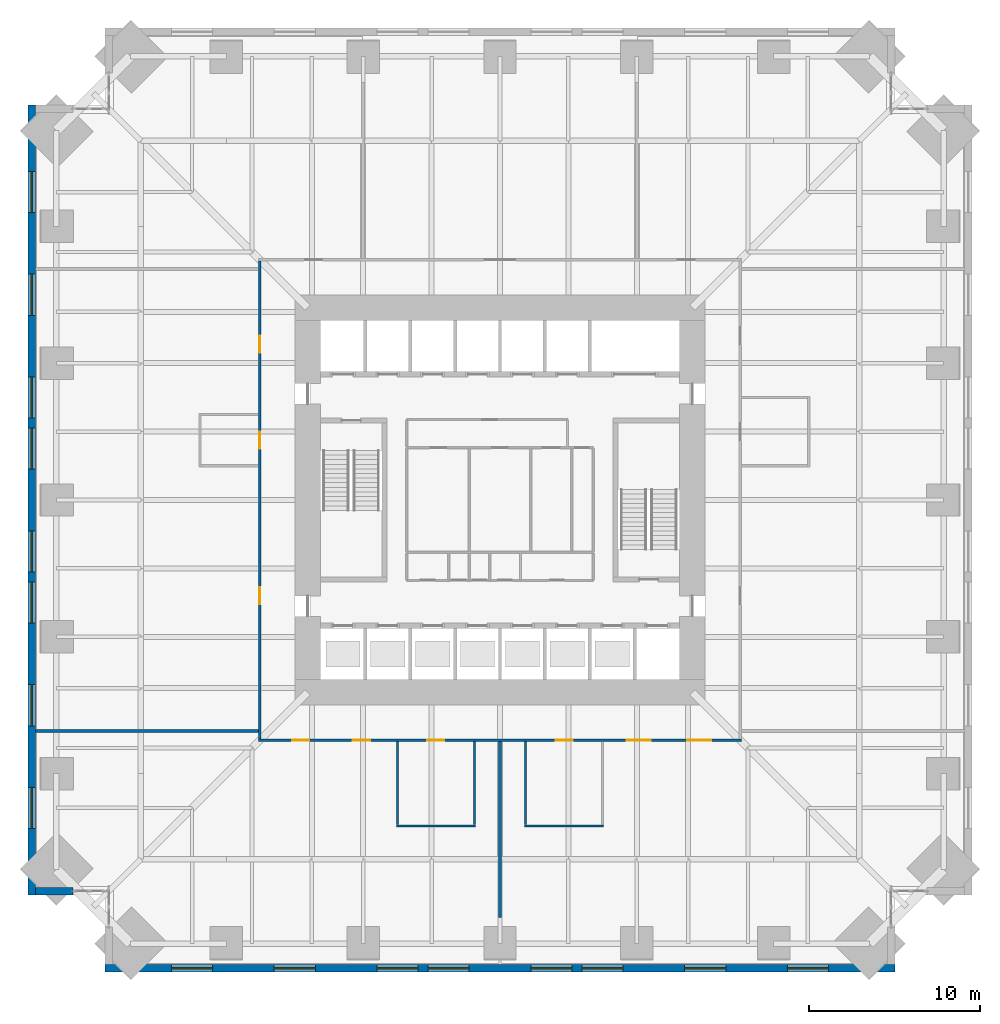
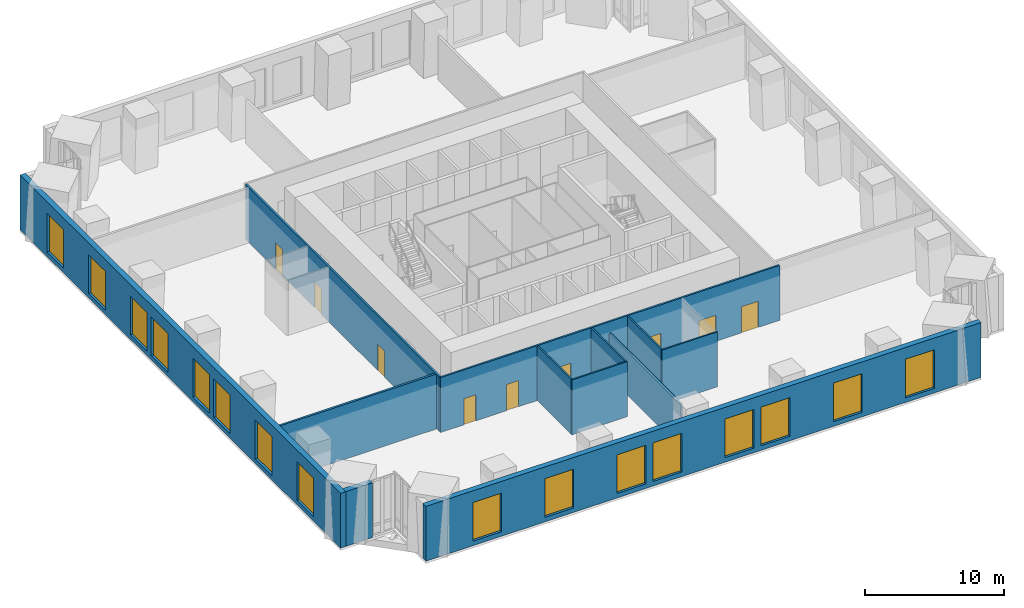
# One storey, part 12 of 18: 16 windows, 12 walls, 9 doors, 25 openings.
"""IFC4 building model written with IfcOpenShell, lengths in metres."""

from ifc_helpers import new_model, si_unit, direction, frame, frame_2d, origin, place, context, subcontext, project, spatial, rectangle, extrude, material, layer, layer_set, type_object, element, fill, save


model = new_model("IFC4")

# Units and contexts
model_context = context("Model", 3, precision=1e-05, world=origin(), true_north=direction((0.0, 1.0)))
body_context = subcontext(model_context, "Body", "Model", "MODEL_VIEW")
ifc_project = project(units=[si_unit("LENGTHUNIT", "METRE"), si_unit("AREAUNIT", "SQUARE_METRE"), si_unit("VOLUMEUNIT", "CUBIC_METRE"), si_unit("PLANEANGLEUNIT", "RADIAN"), si_unit("MASSUNIT", "GRAM", prefix="KILO")], contexts=[model_context])

# Site, building, storey
site_placement = place(None, origin())
site = spatial("IfcSite", under=ifc_project, at=site_placement, CompositionType="ELEMENT")
building_placement = place(site_placement, origin())
building = spatial("IfcBuilding", under=site, at=building_placement, Name="Peilmerk Tower", CompositionType="ELEMENT")
storey_placement = place(building_placement, frame((0.0, 0.0, 122.800048828125)))
storey = spatial("IfcBuildingStorey", under=building, at=storey_placement, Name="L24", CompositionType="ELEMENT", Elevation=122.800048828125)

# Wall, openings, windows
ifc_material_1 = material(Name="Precast concrete C45/55, board-marked finish", Category="concrete")
ifc_layer_1 = layer(ifc_material_1, 0.449951171875)
ifc_layer_set_1 = layer_set([ifc_layer_1], Name="Precast concrete C45/55, board-marked finish")
wall_type_1 = type_object("IfcWallType", Name="EW1 450 precast concrete facade wall, board-marked", PredefinedType="SOLIDWALL", material=ifc_layer_set_1)
wall_1_placement = place(storey_placement, frame((-23.10009765625, -27.375, 0.0), z_axis=(0.0, 0.0, 1.0), x_axis=(1.0, 0.0, 0.0)))
wall_1 = element("IfcWall", 1, at=wall_1_placement, inside=storey, type_object=wall_type_1, Name="Facade wall S L24", PredefinedType="SOLIDWALL", context=body_context, shape_type="SweptSolid", body=[
    extrude(rectangle(XDim=46.2001953125, YDim=0.449951171875, at=frame_2d((23.10009765625, 0.0))), origin(), (0.0, 0.0, 1.0), 4.829833984375),
])
opening_1_placement = place(wall_1_placement, frame((3.89990234375, 0.0, 0.39990234375)))
opening_1 = element("IfcOpeningElement", 2, at=opening_1_placement, cuts=wall_1, Name="Opening W6", PredefinedType="OPENING", context=body_context, shape_type="SweptSolid", body=[
    extrude(rectangle(XDim=2.39990234375, YDim=3.39990234375, at=frame_2d((1.199951171875, 1.699951171875))), frame((0.0, 0.23486328125, 0.0), z_axis=(0.0, -1.0, 0.0), x_axis=(1.0, 0.0, 0.0)), (0.0, 0.0, 1.0), 0.469970703125),
])
opening_2_placement = place(wall_1_placement, frame((9.89990234375, 0.0, 0.39990234375)))
opening_2 = element("IfcOpeningElement", 3, at=opening_2_placement, cuts=wall_1, Name="Opening W6", PredefinedType="OPENING", context=body_context, shape_type="SweptSolid", body=[
    extrude(rectangle(XDim=2.39990234375, YDim=3.39990234375, at=frame_2d((1.199951171875, 1.699951171875))), frame((0.0, 0.23486328125, 0.0), z_axis=(0.0, -1.0, 0.0), x_axis=(1.0, 0.0, 0.0)), (0.0, 0.0, 1.0), 0.469970703125),
])
opening_3_placement = place(wall_1_placement, frame((15.89990234375, 0.0, 0.39990234375)))
opening_3 = element("IfcOpeningElement", 4, at=opening_3_placement, cuts=wall_1, Name="Opening W6", PredefinedType="OPENING", context=body_context, shape_type="SweptSolid", body=[
    extrude(rectangle(XDim=2.39990234375, YDim=3.39990234375, at=frame_2d((1.199951171875, 1.699951171875))), frame((0.0, 0.23486328125, 0.0), z_axis=(0.0, -1.0, 0.0), x_axis=(1.0, 0.0, 0.0)), (0.0, 0.0, 1.0), 0.469970703125),
])
opening_4_placement = place(wall_1_placement, frame((18.89990234375, 0.0, 0.39990234375)))
opening_4 = element("IfcOpeningElement", 5, at=opening_4_placement, cuts=wall_1, Name="Opening W6", PredefinedType="OPENING", context=body_context, shape_type="SweptSolid", body=[
    extrude(rectangle(XDim=2.39990234375, YDim=3.39990234375, at=frame_2d((1.199951171875, 1.699951171875))), frame((0.0, 0.23486328125, 0.0), z_axis=(0.0, -1.0, 0.0), x_axis=(1.0, 0.0, 0.0)), (0.0, 0.0, 1.0), 0.469970703125),
])
opening_5_placement = place(wall_1_placement, frame((24.89990234375, 0.0, 0.39990234375)))
opening_5 = element("IfcOpeningElement", 6, at=opening_5_placement, cuts=wall_1, Name="Opening W6", PredefinedType="OPENING", context=body_context, shape_type="SweptSolid", body=[
    extrude(rectangle(XDim=2.39990234375, YDim=3.39990234375, at=frame_2d((1.199951171875, 1.699951171875))), frame((0.0, 0.23486328125, 0.0), z_axis=(0.0, -1.0, 0.0), x_axis=(1.0, 0.0, 0.0)), (0.0, 0.0, 1.0), 0.469970703125),
])
opening_6_placement = place(wall_1_placement, frame((27.89990234375, 0.0, 0.39990234375)))
opening_6 = element("IfcOpeningElement", 7, at=opening_6_placement, cuts=wall_1, Name="Opening W6", PredefinedType="OPENING", context=body_context, shape_type="SweptSolid", body=[
    extrude(rectangle(XDim=2.39990234375, YDim=3.39990234375, at=frame_2d((1.199951171875, 1.699951171875))), frame((0.0, 0.23486328125, 0.0), z_axis=(0.0, -1.0, 0.0), x_axis=(1.0, 0.0, 0.0)), (0.0, 0.0, 1.0), 0.469970703125),
])
opening_7_placement = place(wall_1_placement, frame((33.89990234375, 0.0, 0.39990234375)))
opening_7 = element("IfcOpeningElement", 8, at=opening_7_placement, cuts=wall_1, Name="Opening W6", PredefinedType="OPENING", context=body_context, shape_type="SweptSolid", body=[
    extrude(rectangle(XDim=2.39990234375, YDim=3.39990234375, at=frame_2d((1.199951171875, 1.699951171875))), frame((0.0, 0.23486328125, 0.0), z_axis=(0.0, -1.0, 0.0), x_axis=(1.0, 0.0, 0.0)), (0.0, 0.0, 1.0), 0.469970703125),
])
opening_8_placement = place(wall_1_placement, frame((39.89990234375, 0.0, 0.39990234375)))
opening_8 = element("IfcOpeningElement", 9, at=opening_8_placement, cuts=wall_1, Name="Opening W6", PredefinedType="OPENING", context=body_context, shape_type="SweptSolid", body=[
    extrude(rectangle(XDim=2.39990234375, YDim=3.39990234375, at=frame_2d((1.199951171875, 1.699951171875))), frame((0.0, 0.23486328125, 0.0), z_axis=(0.0, -1.0, 0.0), x_axis=(1.0, 0.0, 0.0)), (0.0, 0.0, 1.0), 0.469970703125),
])
ifc_material_2 = material(Name="Aluminium frame, clear double glazing", Category="aluminium")
window_type = type_object("IfcWindowType", Name="W6 2400x3400 sky lobby window", PartitioningType="SINGLE_PANEL", PredefinedType="WINDOW", material=ifc_material_2)
window_1_placement = place(opening_1_placement, origin())
window_1 = element("IfcWindow", 10, at=window_1_placement, inside=storey, type_object=window_type, Name="Window W6 L24", OverallHeight=3.39990234375, OverallWidth=2.39990234375, PartitioningType="SINGLE_PANEL", PredefinedType="WINDOW", context=body_context, shape_type="SweptSolid", body=[
    extrude(rectangle(XDim=2.39990234375, YDim=3.39990234375, at=frame_2d((1.199951171875, 1.699951171875))), frame((0.0, 0.030029296875, 0.0), z_axis=(0.0, -1.0, 0.0), x_axis=(1.0, 0.0, 0.0)), (0.0, 0.0, 1.0), 0.06005859375),
])
fill(opening_1, window_1)
window_2_placement = place(opening_2_placement, origin())
window_2 = element("IfcWindow", 11, at=window_2_placement, inside=storey, type_object=window_type, Name="Window W6 L24", OverallHeight=3.39990234375, OverallWidth=2.39990234375, PartitioningType="SINGLE_PANEL", PredefinedType="WINDOW", context=body_context, shape_type="SweptSolid", body=[
    extrude(rectangle(XDim=2.39990234375, YDim=3.39990234375, at=frame_2d((1.199951171875, 1.699951171875))), frame((0.0, 0.030029296875, 0.0), z_axis=(0.0, -1.0, 0.0), x_axis=(1.0, 0.0, 0.0)), (0.0, 0.0, 1.0), 0.06005859375),
])
fill(opening_2, window_2)
window_3_placement = place(opening_3_placement, origin())
window_3 = element("IfcWindow", 12, at=window_3_placement, inside=storey, type_object=window_type, Name="Window W6 L24", OverallHeight=3.39990234375, OverallWidth=2.39990234375, PartitioningType="SINGLE_PANEL", PredefinedType="WINDOW", context=body_context, shape_type="SweptSolid", body=[
    extrude(rectangle(XDim=2.39990234375, YDim=3.39990234375, at=frame_2d((1.199951171875, 1.699951171875))), frame((0.0, 0.030029296875, 0.0), z_axis=(0.0, -1.0, 0.0), x_axis=(1.0, 0.0, 0.0)), (0.0, 0.0, 1.0), 0.06005859375),
])
fill(opening_3, window_3)
window_4_placement = place(opening_4_placement, origin())
window_4 = element("IfcWindow", 13, at=window_4_placement, inside=storey, type_object=window_type, Name="Window W6 L24", OverallHeight=3.39990234375, OverallWidth=2.39990234375, PartitioningType="SINGLE_PANEL", PredefinedType="WINDOW", context=body_context, shape_type="SweptSolid", body=[
    extrude(rectangle(XDim=2.39990234375, YDim=3.39990234375, at=frame_2d((1.199951171875, 1.699951171875))), frame((0.0, 0.030029296875, 0.0), z_axis=(0.0, -1.0, 0.0), x_axis=(1.0, 0.0, 0.0)), (0.0, 0.0, 1.0), 0.06005859375),
])
fill(opening_4, window_4)
window_5_placement = place(opening_5_placement, origin())
window_5 = element("IfcWindow", 14, at=window_5_placement, inside=storey, type_object=window_type, Name="Window W6 L24", OverallHeight=3.39990234375, OverallWidth=2.39990234375, PartitioningType="SINGLE_PANEL", PredefinedType="WINDOW", context=body_context, shape_type="SweptSolid", body=[
    extrude(rectangle(XDim=2.39990234375, YDim=3.39990234375, at=frame_2d((1.199951171875, 1.699951171875))), frame((0.0, 0.030029296875, 0.0), z_axis=(0.0, -1.0, 0.0), x_axis=(1.0, 0.0, 0.0)), (0.0, 0.0, 1.0), 0.06005859375),
])
fill(opening_5, window_5)
window_6_placement = place(opening_6_placement, origin())
window_6 = element("IfcWindow", 15, at=window_6_placement, inside=storey, type_object=window_type, Name="Window W6 L24", OverallHeight=3.39990234375, OverallWidth=2.39990234375, PartitioningType="SINGLE_PANEL", PredefinedType="WINDOW", context=body_context, shape_type="SweptSolid", body=[
    extrude(rectangle(XDim=2.39990234375, YDim=3.39990234375, at=frame_2d((1.199951171875, 1.699951171875))), frame((0.0, 0.030029296875, 0.0), z_axis=(0.0, -1.0, 0.0), x_axis=(1.0, 0.0, 0.0)), (0.0, 0.0, 1.0), 0.06005859375),
])
fill(opening_6, window_6)
window_7_placement = place(opening_7_placement, origin())
window_7 = element("IfcWindow", 16, at=window_7_placement, inside=storey, type_object=window_type, Name="Window W6 L24", OverallHeight=3.39990234375, OverallWidth=2.39990234375, PartitioningType="SINGLE_PANEL", PredefinedType="WINDOW", context=body_context, shape_type="SweptSolid", body=[
    extrude(rectangle(XDim=2.39990234375, YDim=3.39990234375, at=frame_2d((1.199951171875, 1.699951171875))), frame((0.0, 0.030029296875, 0.0), z_axis=(0.0, -1.0, 0.0), x_axis=(1.0, 0.0, 0.0)), (0.0, 0.0, 1.0), 0.06005859375),
])
fill(opening_7, window_7)
window_8_placement = place(opening_8_placement, origin())
window_8 = element("IfcWindow", 17, at=window_8_placement, inside=storey, type_object=window_type, Name="Window W6 L24", OverallHeight=3.39990234375, OverallWidth=2.39990234375, PartitioningType="SINGLE_PANEL", PredefinedType="WINDOW", context=body_context, shape_type="SweptSolid", body=[
    extrude(rectangle(XDim=2.39990234375, YDim=3.39990234375, at=frame_2d((1.199951171875, 1.699951171875))), frame((0.0, 0.030029296875, 0.0), z_axis=(0.0, -1.0, 0.0), x_axis=(1.0, 0.0, 0.0)), (0.0, 0.0, 1.0), 0.06005859375),
])
fill(opening_8, window_8)

wall_2_placement = place(storey_placement, frame((-27.375, 23.10009765625, 0.0), z_axis=(0.0, 0.0, 1.0), x_axis=(0.0, -1.0, 0.0)))
wall_2 = element("IfcWall", 18, at=wall_2_placement, inside=storey, type_object=wall_type_1, Name="Facade wall W L24", PredefinedType="SOLIDWALL", context=body_context, shape_type="SweptSolid", body=[
    extrude(rectangle(XDim=46.2001953125, YDim=0.449951171875, at=frame_2d((23.10009765625, 0.0))), origin(), (0.0, 0.0, 1.0), 4.829833984375),
])
opening_9_placement = place(wall_2_placement, frame((3.89990234375, 0.0, 0.39990234375)))
opening_9 = element("IfcOpeningElement", 19, at=opening_9_placement, cuts=wall_2, Name="Opening W6", PredefinedType="OPENING", context=body_context, shape_type="SweptSolid", body=[
    extrude(rectangle(XDim=2.39990234375, YDim=3.39990234375, at=frame_2d((1.199951171875, 1.699951171875))), frame((0.0, 0.23486328125, 0.0), z_axis=(0.0, -1.0, 0.0), x_axis=(1.0, 0.0, 0.0)), (0.0, 0.0, 1.0), 0.469970703125),
])
opening_10_placement = place(wall_2_placement, frame((9.89990234375, 0.0, 0.39990234375)))
opening_10 = element("IfcOpeningElement", 20, at=opening_10_placement, cuts=wall_2, Name="Opening W6", PredefinedType="OPENING", context=body_context, shape_type="SweptSolid", body=[
    extrude(rectangle(XDim=2.39990234375, YDim=3.39990234375, at=frame_2d((1.199951171875, 1.699951171875))), frame((0.0, 0.23486328125, 0.0), z_axis=(0.0, -1.0, 0.0), x_axis=(1.0, 0.0, 0.0)), (0.0, 0.0, 1.0), 0.469970703125),
])
opening_11_placement = place(wall_2_placement, frame((15.89990234375, 0.0, 0.39990234375)))
opening_11 = element("IfcOpeningElement", 21, at=opening_11_placement, cuts=wall_2, Name="Opening W6", PredefinedType="OPENING", context=body_context, shape_type="SweptSolid", body=[
    extrude(rectangle(XDim=2.39990234375, YDim=3.39990234375, at=frame_2d((1.199951171875, 1.699951171875))), frame((0.0, 0.23486328125, 0.0), z_axis=(0.0, -1.0, 0.0), x_axis=(1.0, 0.0, 0.0)), (0.0, 0.0, 1.0), 0.469970703125),
])
opening_12_placement = place(wall_2_placement, frame((18.89990234375, 0.0, 0.39990234375)))
opening_12 = element("IfcOpeningElement", 22, at=opening_12_placement, cuts=wall_2, Name="Opening W6", PredefinedType="OPENING", context=body_context, shape_type="SweptSolid", body=[
    extrude(rectangle(XDim=2.39990234375, YDim=3.39990234375, at=frame_2d((1.199951171875, 1.699951171875))), frame((0.0, 0.23486328125, 0.0), z_axis=(0.0, -1.0, 0.0), x_axis=(1.0, 0.0, 0.0)), (0.0, 0.0, 1.0), 0.469970703125),
])
opening_13_placement = place(wall_2_placement, frame((24.89990234375, 0.0, 0.39990234375)))
opening_13 = element("IfcOpeningElement", 23, at=opening_13_placement, cuts=wall_2, Name="Opening W6", PredefinedType="OPENING", context=body_context, shape_type="SweptSolid", body=[
    extrude(rectangle(XDim=2.39990234375, YDim=3.39990234375, at=frame_2d((1.199951171875, 1.699951171875))), frame((0.0, 0.23486328125, 0.0), z_axis=(0.0, -1.0, 0.0), x_axis=(1.0, 0.0, 0.0)), (0.0, 0.0, 1.0), 0.469970703125),
])
opening_14_placement = place(wall_2_placement, frame((27.89990234375, 0.0, 0.39990234375)))
opening_14 = element("IfcOpeningElement", 24, at=opening_14_placement, cuts=wall_2, Name="Opening W6", PredefinedType="OPENING", context=body_context, shape_type="SweptSolid", body=[
    extrude(rectangle(XDim=2.39990234375, YDim=3.39990234375, at=frame_2d((1.199951171875, 1.699951171875))), frame((0.0, 0.23486328125, 0.0), z_axis=(0.0, -1.0, 0.0), x_axis=(1.0, 0.0, 0.0)), (0.0, 0.0, 1.0), 0.469970703125),
])
opening_15_placement = place(wall_2_placement, frame((33.89990234375, 0.0, 0.39990234375)))
opening_15 = element("IfcOpeningElement", 25, at=opening_15_placement, cuts=wall_2, Name="Opening W6", PredefinedType="OPENING", context=body_context, shape_type="SweptSolid", body=[
    extrude(rectangle(XDim=2.39990234375, YDim=3.39990234375, at=frame_2d((1.199951171875, 1.699951171875))), frame((0.0, 0.23486328125, 0.0), z_axis=(0.0, -1.0, 0.0), x_axis=(1.0, 0.0, 0.0)), (0.0, 0.0, 1.0), 0.469970703125),
])
opening_16_placement = place(wall_2_placement, frame((39.89990234375, 0.0, 0.39990234375)))
opening_16 = element("IfcOpeningElement", 26, at=opening_16_placement, cuts=wall_2, Name="Opening W6", PredefinedType="OPENING", context=body_context, shape_type="SweptSolid", body=[
    extrude(rectangle(XDim=2.39990234375, YDim=3.39990234375, at=frame_2d((1.199951171875, 1.699951171875))), frame((0.0, 0.23486328125, 0.0), z_axis=(0.0, -1.0, 0.0), x_axis=(1.0, 0.0, 0.0)), (0.0, 0.0, 1.0), 0.469970703125),
])
window_9_placement = place(opening_9_placement, origin())
window_9 = element("IfcWindow", 27, at=window_9_placement, inside=storey, type_object=window_type, Name="Window W6 L24", OverallHeight=3.39990234375, OverallWidth=2.39990234375, PartitioningType="SINGLE_PANEL", PredefinedType="WINDOW", context=body_context, shape_type="SweptSolid", body=[
    extrude(rectangle(XDim=2.39990234375, YDim=3.39990234375, at=frame_2d((1.199951171875, 1.699951171875))), frame((0.0, 0.030029296875, 0.0), z_axis=(0.0, -1.0, 0.0), x_axis=(1.0, 0.0, 0.0)), (0.0, 0.0, 1.0), 0.06005859375),
])
fill(opening_9, window_9)
window_10_placement = place(opening_10_placement, origin())
window_10 = element("IfcWindow", 28, at=window_10_placement, inside=storey, type_object=window_type, Name="Window W6 L24", OverallHeight=3.39990234375, OverallWidth=2.39990234375, PartitioningType="SINGLE_PANEL", PredefinedType="WINDOW", context=body_context, shape_type="SweptSolid", body=[
    extrude(rectangle(XDim=2.39990234375, YDim=3.39990234375, at=frame_2d((1.199951171875, 1.699951171875))), frame((0.0, 0.030029296875, 0.0), z_axis=(0.0, -1.0, 0.0), x_axis=(1.0, 0.0, 0.0)), (0.0, 0.0, 1.0), 0.06005859375),
])
fill(opening_10, window_10)
window_11_placement = place(opening_11_placement, origin())
window_11 = element("IfcWindow", 29, at=window_11_placement, inside=storey, type_object=window_type, Name="Window W6 L24", OverallHeight=3.39990234375, OverallWidth=2.39990234375, PartitioningType="SINGLE_PANEL", PredefinedType="WINDOW", context=body_context, shape_type="SweptSolid", body=[
    extrude(rectangle(XDim=2.39990234375, YDim=3.39990234375, at=frame_2d((1.199951171875, 1.699951171875))), frame((0.0, 0.030029296875, 0.0), z_axis=(0.0, -1.0, 0.0), x_axis=(1.0, 0.0, 0.0)), (0.0, 0.0, 1.0), 0.06005859375),
])
fill(opening_11, window_11)
window_12_placement = place(opening_12_placement, origin())
window_12 = element("IfcWindow", 30, at=window_12_placement, inside=storey, type_object=window_type, Name="Window W6 L24", OverallHeight=3.39990234375, OverallWidth=2.39990234375, PartitioningType="SINGLE_PANEL", PredefinedType="WINDOW", context=body_context, shape_type="SweptSolid", body=[
    extrude(rectangle(XDim=2.39990234375, YDim=3.39990234375, at=frame_2d((1.199951171875, 1.699951171875))), frame((0.0, 0.030029296875, 0.0), z_axis=(0.0, -1.0, 0.0), x_axis=(1.0, 0.0, 0.0)), (0.0, 0.0, 1.0), 0.06005859375),
])
fill(opening_12, window_12)
window_13_placement = place(opening_13_placement, origin())
window_13 = element("IfcWindow", 31, at=window_13_placement, inside=storey, type_object=window_type, Name="Window W6 L24", OverallHeight=3.39990234375, OverallWidth=2.39990234375, PartitioningType="SINGLE_PANEL", PredefinedType="WINDOW", context=body_context, shape_type="SweptSolid", body=[
    extrude(rectangle(XDim=2.39990234375, YDim=3.39990234375, at=frame_2d((1.199951171875, 1.699951171875))), frame((0.0, 0.030029296875, 0.0), z_axis=(0.0, -1.0, 0.0), x_axis=(1.0, 0.0, 0.0)), (0.0, 0.0, 1.0), 0.06005859375),
])
fill(opening_13, window_13)
window_14_placement = place(opening_14_placement, origin())
window_14 = element("IfcWindow", 32, at=window_14_placement, inside=storey, type_object=window_type, Name="Window W6 L24", OverallHeight=3.39990234375, OverallWidth=2.39990234375, PartitioningType="SINGLE_PANEL", PredefinedType="WINDOW", context=body_context, shape_type="SweptSolid", body=[
    extrude(rectangle(XDim=2.39990234375, YDim=3.39990234375, at=frame_2d((1.199951171875, 1.699951171875))), frame((0.0, 0.030029296875, 0.0), z_axis=(0.0, -1.0, 0.0), x_axis=(1.0, 0.0, 0.0)), (0.0, 0.0, 1.0), 0.06005859375),
])
fill(opening_14, window_14)
window_15_placement = place(opening_15_placement, origin())
window_15 = element("IfcWindow", 33, at=window_15_placement, inside=storey, type_object=window_type, Name="Window W6 L24", OverallHeight=3.39990234375, OverallWidth=2.39990234375, PartitioningType="SINGLE_PANEL", PredefinedType="WINDOW", context=body_context, shape_type="SweptSolid", body=[
    extrude(rectangle(XDim=2.39990234375, YDim=3.39990234375, at=frame_2d((1.199951171875, 1.699951171875))), frame((0.0, 0.030029296875, 0.0), z_axis=(0.0, -1.0, 0.0), x_axis=(1.0, 0.0, 0.0)), (0.0, 0.0, 1.0), 0.06005859375),
])
fill(opening_15, window_15)
window_16_placement = place(opening_16_placement, origin())
window_16 = element("IfcWindow", 34, at=window_16_placement, inside=storey, type_object=window_type, Name="Window W6 L24", OverallHeight=3.39990234375, OverallWidth=2.39990234375, PartitioningType="SINGLE_PANEL", PredefinedType="WINDOW", context=body_context, shape_type="SweptSolid", body=[
    extrude(rectangle(XDim=2.39990234375, YDim=3.39990234375, at=frame_2d((1.199951171875, 1.699951171875))), frame((0.0, 0.030029296875, 0.0), z_axis=(0.0, -1.0, 0.0), x_axis=(1.0, 0.0, 0.0)), (0.0, 0.0, 1.0), 0.06005859375),
])
fill(opening_16, window_16)

# Wall
wall_3_placement = place(storey_placement, frame((-24.95361328125, -22.875, 0.0), z_axis=(0.0, 0.0, 1.0), x_axis=(-1.0, 0.0, 0.0)))
element("IfcWall", 35, at=wall_3_placement, inside=storey, type_object=wall_type_1, Name="Facade wall SWB L24", PredefinedType="SOLIDWALL", context=body_context, shape_type="SweptSolid", body=[
    extrude(rectangle(XDim=2.1962890625, YDim=0.449951171875, at=frame_2d((1.09814453125, 0.0))), origin(), (0.0, 0.0, 1.0), 4.829833984375),
])

# Wall, openings, doors
ifc_material_3 = material(Name="Calcium silicate block", Category="masonry")
ifc_layer_2 = layer(ifc_material_3, 0.14990234375)
ifc_layer_set_2 = layer_set([ifc_layer_2], Name="Calcium silicate block")
wall_type_2 = type_object("IfcWallType", Name="IW1 150 corridor partition, EI 60", PredefinedType="PARTITIONING", material=ifc_layer_set_2)
wall_4_placement = place(storey_placement, frame((14.125, -14.050048828125, 0.0), z_axis=(0.0, 0.0, 1.0), x_axis=(-1.0, 0.0, 0.0)))
wall_4 = element("IfcWall", 36, at=wall_4_placement, inside=storey, type_object=wall_type_2, Name="Corridor wall S L24", PredefinedType="PARTITIONING", context=body_context, shape_type="SweptSolid", body=[
    extrude(rectangle(XDim=28.25, YDim=0.14990234375, at=frame_2d((14.125, 0.0))), origin(), (0.0, 0.0, 1.0), 4.829833984375),
])
opening_17_placement = place(wall_4_placement, frame((25.27490234375, 0.0, 0.0)))
opening_17 = element("IfcOpeningElement", 37, at=opening_17_placement, cuts=wall_4, Name="Opening D1", PredefinedType="OPENING", context=body_context, shape_type="SweptSolid", body=[
    extrude(rectangle(XDim=1.0, YDim=2.300048828125, at=frame_2d((0.5, 1.14990234375))), frame((0.0, 0.0849609375, 0.0), z_axis=(0.0, -1.0, 0.0), x_axis=(1.0, 0.0, 0.0)), (0.0, 0.0, 1.0), 0.169921875),
])
opening_18_placement = place(wall_4_placement, frame((21.72509765625, 0.0, 0.0)))
opening_18 = element("IfcOpeningElement", 38, at=opening_18_placement, cuts=wall_4, Name="Opening D1", PredefinedType="OPENING", context=body_context, shape_type="SweptSolid", body=[
    extrude(rectangle(XDim=1.0, YDim=2.300048828125, at=frame_2d((0.5, 1.14990234375))), frame((0.0, 0.0849609375, 0.0), z_axis=(0.0, -1.0, 0.0), x_axis=(1.0, 0.0, 0.0)), (0.0, 0.0, 1.0), 0.169921875),
])
opening_19_placement = place(wall_4_placement, frame((5.324951171875, 0.0, 0.0)))
opening_19 = element("IfcOpeningElement", 39, at=opening_19_placement, cuts=wall_4, Name="Opening D8", PredefinedType="OPENING", context=body_context, shape_type="SweptSolid", body=[
    extrude(rectangle(XDim=1.39990234375, YDim=2.300048828125, at=frame_2d((0.699951171875, 1.14990234375))), frame((0.0, 0.0849609375, 0.0), z_axis=(0.0, -1.0, 0.0), x_axis=(1.0, 0.0, 0.0)), (0.0, 0.0, 1.0), 0.169921875),
])
opening_20_placement = place(wall_4_placement, frame((1.77490234375, 0.0, 0.0)))
opening_20 = element("IfcOpeningElement", 40, at=opening_20_placement, cuts=wall_4, Name="Opening D8", PredefinedType="OPENING", context=body_context, shape_type="SweptSolid", body=[
    extrude(rectangle(XDim=1.39990234375, YDim=2.300048828125, at=frame_2d((0.699951171875, 1.14990234375))), frame((0.0, 0.0849609375, 0.0), z_axis=(0.0, -1.0, 0.0), x_axis=(1.0, 0.0, 0.0)), (0.0, 0.0, 1.0), 0.169921875),
])
opening_21_placement = place(wall_4_placement, frame((9.875, 0.0, 0.0)))
opening_21 = element("IfcOpeningElement", 41, at=opening_21_placement, cuts=wall_4, Name="Opening D1", PredefinedType="OPENING", context=body_context, shape_type="SweptSolid", body=[
    extrude(rectangle(XDim=1.0, YDim=2.300048828125, at=frame_2d((0.5, 1.14990234375))), frame((0.0, 0.0849609375, 0.0), z_axis=(0.0, -1.0, 0.0), x_axis=(1.0, 0.0, 0.0)), (0.0, 0.0, 1.0), 0.169921875),
])
opening_22_placement = place(wall_4_placement, frame((17.375, 0.0, 0.0)))
opening_22 = element("IfcOpeningElement", 42, at=opening_22_placement, cuts=wall_4, Name="Opening D1", PredefinedType="OPENING", context=body_context, shape_type="SweptSolid", body=[
    extrude(rectangle(XDim=1.0, YDim=2.300048828125, at=frame_2d((0.5, 1.14990234375))), frame((0.0, 0.0849609375, 0.0), z_axis=(0.0, -1.0, 0.0), x_axis=(1.0, 0.0, 0.0)), (0.0, 0.0, 1.0), 0.169921875),
])
ifc_material_4 = material(Name="Timber door in steel frame", Category="steel")
door_type_1 = type_object("IfcDoorType", Name="D1 1000x2300 room door, EI2 30", OperationType="SINGLE_SWING_LEFT", PredefinedType="DOOR", material=ifc_material_4)
door_1_placement = place(opening_17_placement, origin())
door_1 = element("IfcDoor", 43, at=door_1_placement, inside=storey, type_object=door_type_1, Name="Door Office L24", OperationType="SINGLE_SWING_LEFT", OverallHeight=2.300048828125, OverallWidth=1.0, PredefinedType="DOOR", context=body_context, shape_type="SweptSolid", body=[
    extrude(rectangle(XDim=1.0, YDim=2.300048828125, at=frame_2d((0.5, 1.14990234375))), frame((0.0, 0.02490234375, 0.0), z_axis=(0.0, -1.0, 0.0), x_axis=(1.0, 0.0, 0.0)), (0.0, 0.0, 1.0), 0.050048828125),
])
fill(opening_17, door_1)
door_2_placement = place(opening_18_placement, origin())
door_2 = element("IfcDoor", 44, at=door_2_placement, inside=storey, type_object=door_type_1, Name="Door Office L24", OperationType="SINGLE_SWING_LEFT", OverallHeight=2.300048828125, OverallWidth=1.0, PredefinedType="DOOR", context=body_context, shape_type="SweptSolid", body=[
    extrude(rectangle(XDim=1.0, YDim=2.300048828125, at=frame_2d((0.5, 1.14990234375))), frame((0.0, 0.02490234375, 0.0), z_axis=(0.0, -1.0, 0.0), x_axis=(1.0, 0.0, 0.0)), (0.0, 0.0, 1.0), 0.050048828125),
])
fill(opening_18, door_2)
door_3_placement = place(opening_21_placement, origin())
door_3 = element("IfcDoor", 45, at=door_3_placement, inside=storey, type_object=door_type_1, Name="Door Meeting room L24", OperationType="SINGLE_SWING_LEFT", OverallHeight=2.300048828125, OverallWidth=1.0, PredefinedType="DOOR", context=body_context, shape_type="SweptSolid", body=[
    extrude(rectangle(XDim=1.0, YDim=2.300048828125, at=frame_2d((0.5, 1.14990234375))), frame((0.0, 0.02490234375, 0.0), z_axis=(0.0, -1.0, 0.0), x_axis=(1.0, 0.0, 0.0)), (0.0, 0.0, 1.0), 0.050048828125),
])
fill(opening_21, door_3)
door_4_placement = place(opening_22_placement, origin())
door_4 = element("IfcDoor", 46, at=door_4_placement, inside=storey, type_object=door_type_1, Name="Door Meeting room L24", OperationType="SINGLE_SWING_LEFT", OverallHeight=2.300048828125, OverallWidth=1.0, PredefinedType="DOOR", context=body_context, shape_type="SweptSolid", body=[
    extrude(rectangle(XDim=1.0, YDim=2.300048828125, at=frame_2d((0.5, 1.14990234375))), frame((0.0, 0.02490234375, 0.0), z_axis=(0.0, -1.0, 0.0), x_axis=(1.0, 0.0, 0.0)), (0.0, 0.0, 1.0), 0.050048828125),
])
fill(opening_22, door_4)
door_type_2 = type_object("IfcDoorType", Name="D8 1400x2300 leaf-and-a-half door, EI2 30", OperationType="DOUBLE_DOOR_SINGLE_SWING", PredefinedType="DOOR", material=ifc_material_4)
door_5_placement = place(opening_19_placement, origin())
door_5 = element("IfcDoor", 47, at=door_5_placement, inside=storey, type_object=door_type_2, Name="Door Library L24", OperationType="DOUBLE_DOOR_SINGLE_SWING", OverallHeight=2.300048828125, OverallWidth=1.39990234375, PredefinedType="DOOR", context=body_context, shape_type="SweptSolid", body=[
    extrude(rectangle(XDim=1.39990234375, YDim=2.300048828125, at=frame_2d((0.699951171875, 1.14990234375))), frame((0.0, 0.02490234375, 0.0), z_axis=(0.0, -1.0, 0.0), x_axis=(1.0, 0.0, 0.0)), (0.0, 0.0, 1.0), 0.050048828125),
])
fill(opening_19, door_5)
door_6_placement = place(opening_20_placement, origin())
door_6 = element("IfcDoor", 48, at=door_6_placement, inside=storey, type_object=door_type_2, Name="Door Library L24", OperationType="DOUBLE_DOOR_SINGLE_SWING", OverallHeight=2.300048828125, OverallWidth=1.39990234375, PredefinedType="DOOR", context=body_context, shape_type="SweptSolid", body=[
    extrude(rectangle(XDim=1.39990234375, YDim=2.300048828125, at=frame_2d((0.699951171875, 1.14990234375))), frame((0.0, 0.02490234375, 0.0), z_axis=(0.0, -1.0, 0.0), x_axis=(1.0, 0.0, 0.0)), (0.0, 0.0, 1.0), 0.050048828125),
])
fill(opening_20, door_6)

wall_5_placement = place(storey_placement, frame((-14.050048828125, 13.97509765625, 0.0), z_axis=(0.0, 0.0, 1.0), x_axis=(0.0, -1.0, 0.0)))
wall_5 = element("IfcWall", 49, at=wall_5_placement, inside=storey, type_object=wall_type_2, Name="Corridor wall W L24", PredefinedType="PARTITIONING", context=body_context, shape_type="SweptSolid", body=[
    extrude(rectangle(XDim=27.9501953125, YDim=0.14990234375, at=frame_2d((13.97509765625, 0.0))), origin(), (0.0, 0.0, 1.0), 4.829833984375),
])
opening_23_placement = place(wall_5_placement, frame((19.074951171875, 0.0, 0.0)))
opening_23 = element("IfcOpeningElement", 50, at=opening_23_placement, cuts=wall_5, Name="Opening D1", PredefinedType="OPENING", context=body_context, shape_type="SweptSolid", body=[
    extrude(rectangle(XDim=1.0, YDim=2.300048828125, at=frame_2d((0.5, 1.14990234375))), frame((0.0, 0.0849609375, 0.0), z_axis=(0.0, -1.0, 0.0), x_axis=(1.0, 0.0, 0.0)), (0.0, 0.0, 1.0), 0.169921875),
])
opening_24_placement = place(wall_5_placement, frame((4.375, 0.0, 0.0)))
opening_24 = element("IfcOpeningElement", 51, at=opening_24_placement, cuts=wall_5, Name="Opening D1", PredefinedType="OPENING", context=body_context, shape_type="SweptSolid", body=[
    extrude(rectangle(XDim=1.0, YDim=2.300048828125, at=frame_2d((0.5, 1.14990234375))), frame((0.0, 0.0849609375, 0.0), z_axis=(0.0, -1.0, 0.0), x_axis=(1.0, 0.0, 0.0)), (0.0, 0.0, 1.0), 0.169921875),
])
opening_25_placement = place(wall_5_placement, frame((9.97509765625, 0.0, 0.0)))
opening_25 = element("IfcOpeningElement", 52, at=opening_25_placement, cuts=wall_5, Name="Opening D1", PredefinedType="OPENING", context=body_context, shape_type="SweptSolid", body=[
    extrude(rectangle(XDim=1.0, YDim=2.300048828125, at=frame_2d((0.5, 1.14990234375))), frame((0.0, 0.0849609375, 0.0), z_axis=(0.0, -1.0, 0.0), x_axis=(1.0, 0.0, 0.0)), (0.0, 0.0, 1.0), 0.169921875),
])
door_7_placement = place(opening_23_placement, frame((1.0, 0.0, 0.0), z_axis=(0.0, 0.0, 1.0), x_axis=(-1.0, 0.0, 0.0)))
door_7 = element("IfcDoor", 53, at=door_7_placement, inside=storey, type_object=door_type_1, Name="Door Wellness room L24", OperationType="SINGLE_SWING_LEFT", OverallHeight=2.300048828125, OverallWidth=1.0, PredefinedType="DOOR", context=body_context, shape_type="SweptSolid", body=[
    extrude(rectangle(XDim=1.0, YDim=2.300048828125, at=frame_2d((0.5, 1.14990234375))), frame((0.0, 0.02490234375, 0.0), z_axis=(0.0, -1.0, 0.0), x_axis=(1.0, 0.0, 0.0)), (0.0, 0.0, 1.0), 0.050048828125),
])
fill(opening_23, door_7)
door_8_placement = place(opening_24_placement, frame((1.0, 0.0, 0.0), z_axis=(0.0, 0.0, 1.0), x_axis=(-1.0, 0.0, 0.0)))
door_8 = element("IfcDoor", 54, at=door_8_placement, inside=storey, type_object=door_type_1, Name="Door Wellness room L24", OperationType="SINGLE_SWING_LEFT", OverallHeight=2.300048828125, OverallWidth=1.0, PredefinedType="DOOR", context=body_context, shape_type="SweptSolid", body=[
    extrude(rectangle(XDim=1.0, YDim=2.300048828125, at=frame_2d((0.5, 1.14990234375))), frame((0.0, 0.02490234375, 0.0), z_axis=(0.0, -1.0, 0.0), x_axis=(1.0, 0.0, 0.0)), (0.0, 0.0, 1.0), 0.050048828125),
])
fill(opening_24, door_8)
door_9_placement = place(opening_25_placement, frame((1.0, 0.0, 0.0), z_axis=(0.0, 0.0, 1.0), x_axis=(-1.0, 0.0, 0.0)))
door_9 = element("IfcDoor", 55, at=door_9_placement, inside=storey, type_object=door_type_1, Name="Door Focus room L24", OperationType="SINGLE_SWING_LEFT", OverallHeight=2.300048828125, OverallWidth=1.0, PredefinedType="DOOR", context=body_context, shape_type="SweptSolid", body=[
    extrude(rectangle(XDim=1.0, YDim=2.300048828125, at=frame_2d((0.5, 1.14990234375))), frame((0.0, 0.02490234375, 0.0), z_axis=(0.0, -1.0, 0.0), x_axis=(1.0, 0.0, 0.0)), (0.0, 0.0, 1.0), 0.050048828125),
])
fill(opening_25, door_9)

# Walls
ifc_material_5 = material(Name="Plasterboard on steel studs, double boarded with mineral wool", Category="steel")
ifc_layer_3 = layer(ifc_material_5, 0.125)
ifc_layer_set_3 = layer_set([ifc_layer_3], Name="Plasterboard on steel studs, double boarded with mineral wool")
wall_type_3 = type_object("IfcWallType", Name="IW7 125 acoustic partition, EI 30", PredefinedType="PARTITIONING", material=ifc_layer_set_3)
wall_6_placement = place(storey_placement, frame((1.4375, -19.050048828125, 0.0), z_axis=(0.0, 0.0, 1.0), x_axis=(1.0, 0.0, 0.0)))
element("IfcWall", 56, at=wall_6_placement, inside=storey, type_object=wall_type_3, Name="Acoustic partition Meeting room L24", PredefinedType="PARTITIONING", context=body_context, shape_type="SweptSolid", body=[
    extrude(rectangle(XDim=4.625, YDim=0.125, at=frame_2d((2.3125, 0.0))), origin(), (0.0, 0.0, 1.0), 4.829833984375),
])
wall_7_placement = place(storey_placement, frame((1.5, -14.125, 0.0), z_axis=(0.0, 0.0, 1.0), x_axis=(0.0, -1.0, 0.0)))
element("IfcWall", 57, at=wall_7_placement, inside=storey, type_object=wall_type_3, Name="Acoustic partition Meeting room L24", PredefinedType="PARTITIONING", context=body_context, shape_type="SweptSolid", body=[
    extrude(rectangle(XDim=4.862548828125, YDim=0.125, at=frame_2d((2.43115234375, 0.0))), origin(), (0.0, 0.0, 1.0), 4.829833984375),
])
wall_8_placement = place(storey_placement, frame((-6.0625, -19.050048828125, 0.0), z_axis=(0.0, 0.0, 1.0), x_axis=(1.0, 0.0, 0.0)))
element("IfcWall", 58, at=wall_8_placement, inside=storey, type_object=wall_type_3, Name="Acoustic partition Meeting room L24", PredefinedType="PARTITIONING", context=body_context, shape_type="SweptSolid", body=[
    extrude(rectangle(XDim=4.625, YDim=0.125, at=frame_2d((2.3125, 0.0))), origin(), (0.0, 0.0, 1.0), 4.829833984375),
])
for number, where, z_axis, x_axis, name in (
    (59, (-6.0, -14.125, 0.0), (0.0, 0.0, 1.0), (0.0, -1.0, 0.0), "Acoustic partition Meeting room L24"),
    (60, (-1.5, -14.125, 0.0), (0.0, 0.0, 1.0), (0.0, -1.0, 0.0), "Acoustic partition Meeting room L24"),
):
    element("IfcWall", number, at=place(storey_placement, frame(where, z_axis=z_axis, x_axis=x_axis)), inside=storey, type_object=wall_type_3, Name=name, PredefinedType="PARTITIONING", context=body_context, shape_type="SweptSolid", body=[
        extrude(rectangle(XDim=4.862548828125, YDim=0.125, at=frame_2d((2.43115234375, 0.0))), origin(), (0.0, 0.0, 1.0), 4.829833984375),
    ])
ifc_layer_4 = layer(ifc_material_3, 0.175048828125)
ifc_layer_set_4 = layer_set([ifc_layer_4], Name="Calcium silicate block")
wall_type_4 = type_object("IfcWallType", Name="IW8 175 tenant separating wall, EI 60", PredefinedType="PARTITIONING", material=ifc_layer_set_4)
wall_9_placement = place(storey_placement, frame((-14.125, -13.5, 0.0), z_axis=(0.0, 0.0, 1.0), x_axis=(-1.0, 0.0, 0.0)))
element("IfcWall", 61, at=wall_9_placement, inside=storey, type_object=wall_type_4, Name="Tenant separating wall SW L24", PredefinedType="PARTITIONING", context=body_context, shape_type="SweptSolid", body=[
    extrude(rectangle(XDim=13.02490234375, YDim=0.175048828125, at=frame_2d((6.512451171875, 0.0))), origin(), (0.0, 0.0, 1.0), 4.829833984375),
])
wall_10_placement = place(storey_placement, frame((0.0, -14.125, 0.0), z_axis=(0.0, 0.0, 1.0), x_axis=(0.0, -1.0, 0.0)))
element("IfcWall", 62, at=wall_10_placement, inside=storey, type_object=wall_type_4, Name="Tenant separating wall S1 L24", PredefinedType="PARTITIONING", context=body_context, shape_type="SweptSolid", body=[
    extrude(rectangle(XDim=10.275146484375, YDim=0.175048828125, at=frame_2d((5.1376953125, 0.0))), origin(), (0.0, 0.0, 1.0), 3.822021484375),
])

save(model, "model.ifc")
